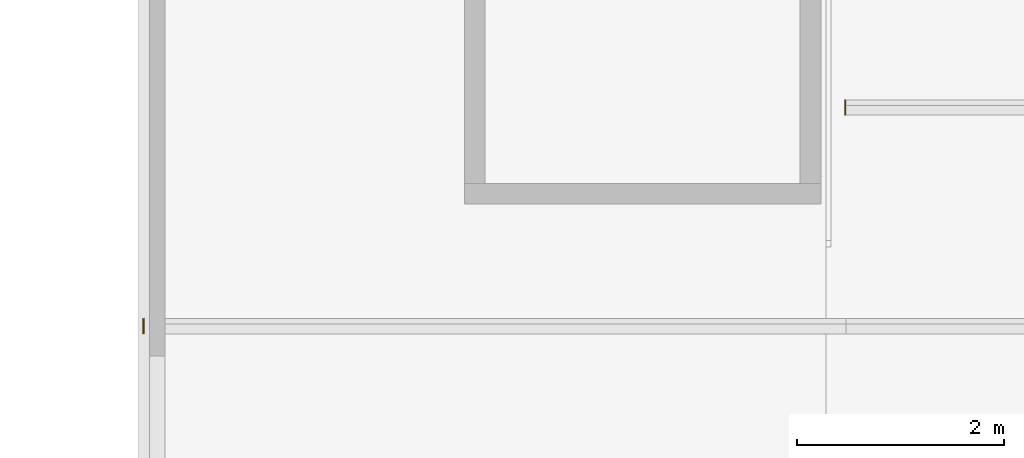
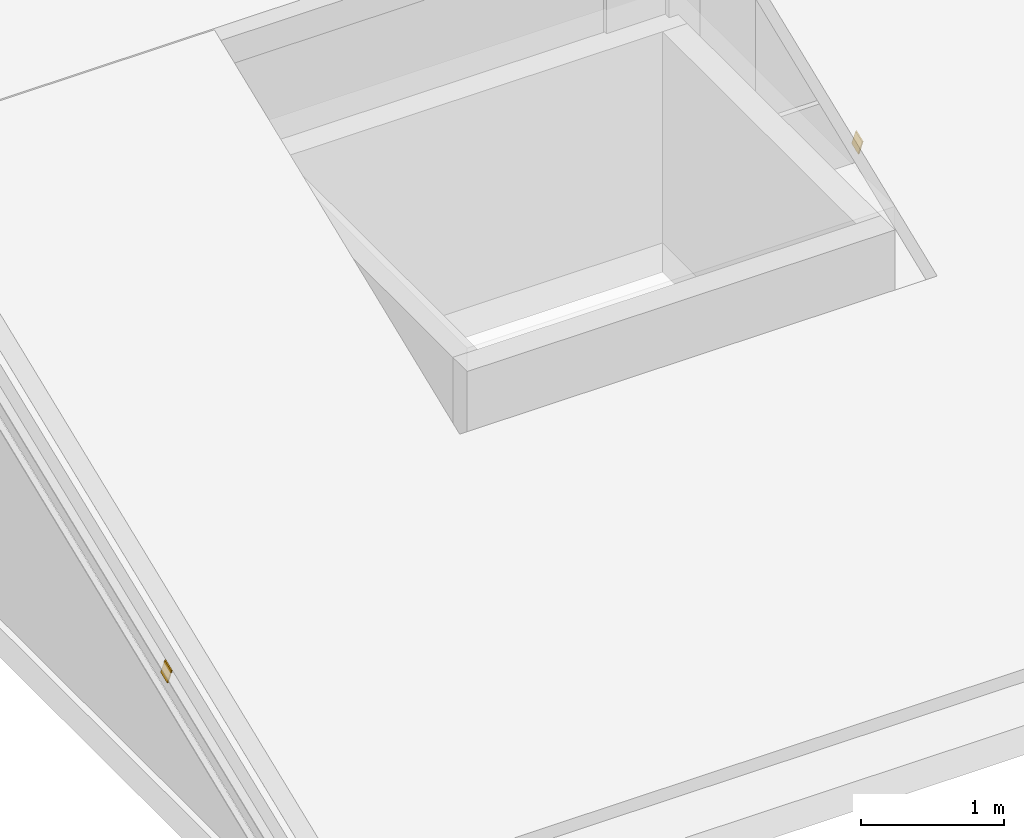
# One storey, part 101 of 109: 2 coverings.
"""IFC4 building model written with IfcOpenShell, lengths in metres."""

import ifcopenshell
import ifcopenshell.guid

model = None  # the IFC model being written
_history = None  # IfcOwnerHistory: only IFC2X3 demands one
_inside = {}  # id of a spatial element -> (the spatial element, [elements in it])
_under = {}  # id of a project, library or spatial element -> (it, [spatial elements below it])
_declared = {}  # id of a project -> (the project, [libraries it declares])
_typed = {}  # id of a type object -> (the type object, [elements of that type])
_made_of = {}  # id of a material, layer set ... -> (it, [elements and type objects made of it])


def new_model(schema):
    """Start an empty IFC model of exactly this schema.

    Asked for "IFC4X3", IfcOpenShell would pick the latest addendum, in which some entities
    have other attributes; the version numbers below select the first issue.
    IFC2X3 requires an IfcOwnerHistory on every rooted entity: one is made here for all.
    """
    global model, _history
    if schema == "IFC4X3":
        model = ifcopenshell.file(schema_version=(4, 3, 0, 0))
    else:
        model = ifcopenshell.file(schema=schema)
    _inside.clear()
    _under.clear()
    _declared.clear()
    _typed.clear()
    _made_of.clear()
    _history = None
    if model.schema == "IFC2X3":
        org = make("IfcOrganization", Name="unknown")
        user = make(
            "IfcPersonAndOrganization",
            ThePerson=make("IfcPerson", FamilyName="unknown"),
            TheOrganization=org,
        )
        app = make(
            "IfcApplication",
            ApplicationDeveloper=org,
            Version="unknown",
            ApplicationFullName="unknown",
            ApplicationIdentifier="unknown",
        )
        _history = make(
            "IfcOwnerHistory",
            OwningUser=user,
            OwningApplication=app,
            ChangeAction="ADDED",
            CreationDate=0,
        )
    return model


def make(cls, **values):
    """One entity of the class cls with the attributes given. An attribute that is None is left unset."""
    return model.create_entity(
        cls, **{name: value for name, value in values.items() if value is not None}
    )


def rooted(cls, **values):
    """An entity with a GlobalId (a new one), such as an element, a storey or a relation."""
    return make(cls, GlobalId=ifcopenshell.guid.new(), OwnerHistory=_history, **values)


def si_unit(unit_type, name, prefix=None):
    """IfcSIUnit, for example si_unit("LENGTHUNIT", "METRE", prefix="MILLI")."""
    return make("IfcSIUnit", UnitType=unit_type, Prefix=prefix, Name=name)


def assignment(units):
    """IfcUnitAssignment: the units of a project."""
    return None if units is None else make("IfcUnitAssignment", Units=units)


def point(xyz):
    """IfcCartesianPoint."""
    return None if xyz is None else make("IfcCartesianPoint", Coordinates=xyz)


def direction(xyz):
    """IfcDirection."""
    return None if xyz is None else make("IfcDirection", DirectionRatios=xyz)


def frame(location, z_axis=None, x_axis=None):
    """IfcAxis2Placement3D, a coordinate frame: its origin and axes. An axis left out is left unset."""
    return make(
        "IfcAxis2Placement3D",
        Location=point(location),
        Axis=direction(z_axis),
        RefDirection=direction(x_axis),
    )


def origin():
    """The frame at (0, 0, 0) with its axes left unset."""
    return frame((0.0, 0.0, 0.0))


def place(relative_to, where):
    """IfcLocalPlacement: puts the frame where relative to a parent placement (None: the world)."""
    return make(
        "IfcLocalPlacement", PlacementRelTo=relative_to, RelativePlacement=where
    )


def context(
    kind, dimensions, precision=None, world=None, true_north=None, identifier=None
):
    """IfcGeometricRepresentationContext, for example the 3D "Model" context."""
    return make(
        "IfcGeometricRepresentationContext",
        ContextIdentifier=identifier,
        ContextType=kind,
        CoordinateSpaceDimension=dimensions,
        Precision=precision,
        WorldCoordinateSystem=world,
        TrueNorth=true_north,
    )


def subcontext(parent, identifier, kind, view, scale=None):
    """IfcGeometricRepresentationSubContext, for example "Body" below "Model"."""
    return make(
        "IfcGeometricRepresentationSubContext",
        ContextIdentifier=identifier,
        ContextType=kind,
        ParentContext=parent,
        TargetScale=scale,
        TargetView=view,
    )


def project(units=None, contexts=None):
    """IfcProject with its units and contexts."""
    return rooted(
        "IfcProject",
        Name="project",
        RepresentationContexts=contexts,
        UnitsInContext=assignment(units),
    )


def spatial(cls, under=None, at=None, **own):
    """A site, building, storey or space (cls), placed at a placement, below another one or the project."""
    s = rooted(cls, ObjectPlacement=at, **own)
    if under is not None:
        _under.setdefault(under.id(), (under, []))[1].append(s)
    return s


def polyline(points):
    """IfcPolyline through the points."""
    return make("IfcPolyline", Points=[point(p) for p in points])


def outline(outer, holes=None, kind="AREA"):
    """IfcArbitraryClosedProfileDef: a profile drawn as a closed curve; with holes, ...WithVoids."""
    if holes is None:
        return make("IfcArbitraryClosedProfileDef", ProfileType=kind, OuterCurve=outer)
    return make(
        "IfcArbitraryProfileDefWithVoids",
        ProfileType=kind,
        OuterCurve=outer,
        InnerCurves=holes,
    )


def extrude(swept, where, along, depth):
    """IfcExtrudedAreaSolid: the profile swept, set in the frame where, extruded along a direction by depth."""
    return make(
        "IfcExtrudedAreaSolid",
        SweptArea=swept,
        Position=where,
        ExtrudedDirection=direction(along),
        Depth=depth,
    )


def shape(context_of_items, identifier, shape_type, items):
    """IfcShapeRepresentation: the items that make up one representation, for example the "Body"."""
    return make(
        "IfcShapeRepresentation",
        ContextOfItems=context_of_items,
        RepresentationIdentifier=identifier,
        RepresentationType=shape_type,
        Items=items,
    )


def material(Name=None, Category=None):
    """IfcMaterial."""
    return make("IfcMaterial", Name=Name, Category=Category)


def material_profile(
    of_material, cross_section, Name=None, Category=None, Priority=None
):
    """IfcMaterialProfile: a cross section and its material."""
    return make(
        "IfcMaterialProfile",
        Name=Name,
        Material=of_material,
        Profile=cross_section,
        Priority=Priority,
        Category=Category,
    )


def profile_set(profiles, Name=None, composite=None):
    """IfcMaterialProfileSet."""
    return make(
        "IfcMaterialProfileSet",
        Name=Name,
        MaterialProfiles=profiles,
        CompositeProfile=composite,
    )


def made_of(thing, what):
    """Note that an element or type object is made of a material, layer set ...; save() writes the relation."""
    if what is not None:
        _made_of.setdefault(what.id(), (what, []))[1].append(thing)
    return thing


def type_object(cls, material=None, **own):
    """A type object (cls), such as IfcWallType, which elements share."""
    return made_of(rooted(cls, **own), material)


def element(
    cls,
    number,
    at=None,
    inside=None,
    cuts=None,
    type_object=None,
    material=None,
    context=None,
    identifier="Body",
    shape_type=None,
    held_by="IfcProductDefinitionShape",
    body=None,
    shapes=None,
    **own,
):
    """One element of the class cls, such as IfcWall. Its Tag is "e" and its number.

    at: its placement. inside: the storey or other place that contains it. cuts: it is an
    opening in that element (IfcRelVoidsElement). A single representation is given by context,
    identifier, shape_type and body (its items); several are given by shapes. held_by: the class
    of the entity that holds the representations. save() writes the other relations.
    """
    e = rooted(cls, Tag="e%d" % number, ObjectPlacement=at, **own)
    if body is not None:
        shapes = [shape(context, identifier, shape_type, body)]
    if shapes is not None:
        e.Representation = make(held_by, Representations=shapes)
    if inside is not None:
        _inside.setdefault(inside.id(), (inside, []))[1].append(e)
    if cuts is not None:
        rooted(
            "IfcRelVoidsElement", RelatingBuildingElement=cuts, RelatedOpeningElement=e
        )
    if type_object is not None:
        _typed.setdefault(type_object.id(), (type_object, []))[1].append(e)
    return made_of(e, material)


def aggregate(whole, parts):
    """IfcRelAggregates: a whole, such as a stair, and the parts it consists of."""
    return rooted("IfcRelAggregates", RelatingObject=whole, RelatedObjects=parts)


def save(model, path):
    """Write the relations noted so far, then the file.

    IfcRelAggregates (storeys below a building ...), IfcRelContainedInSpatialStructure (elements
    in a storey), IfcRelDefinesByType, IfcRelAssociatesMaterial and IfcRelDeclares: one each for
    every whole, place, type object, material and project.
    """
    for whole, parts in _under.values():
        aggregate(whole, parts)
    for where, things in _inside.values():
        rooted(
            "IfcRelContainedInSpatialStructure",
            RelatedElements=things,
            RelatingStructure=where,
        )
    for kind, things in _typed.values():
        rooted("IfcRelDefinesByType", RelatedObjects=things, RelatingType=kind)
    for what, things in _made_of.values():
        rooted("IfcRelAssociatesMaterial", RelatedObjects=things, RelatingMaterial=what)
    for by, libraries in _declared.values():
        rooted("IfcRelDeclares", RelatingContext=by, RelatedDefinitions=libraries)
    model.write(path)


model = new_model("IFC4")

# Units and contexts
model_context = context("Model", 3, precision=1e-05, world=origin(), true_north=direction((0.0, 1.0)))
body_context = subcontext(model_context, "Body", "Model", "MODEL_VIEW")
ifc_project = project(units=[si_unit("LENGTHUNIT", "METRE"), si_unit("AREAUNIT", "SQUARE_METRE"), si_unit("VOLUMEUNIT", "CUBIC_METRE"), si_unit("PLANEANGLEUNIT", "RADIAN"), si_unit("MASSUNIT", "GRAM", prefix="KILO")], contexts=[model_context])

# Site, building, storey
site_placement = place(None, origin())
site = spatial("IfcSite", under=ifc_project, at=site_placement, CompositionType="ELEMENT")
building_placement = place(site_placement, origin())
building = spatial("IfcBuilding", under=site, at=building_placement, Name="Lantern Court Research Institute", CompositionType="ELEMENT")
storey_placement = place(building_placement, frame((0.0, 0.0, 14.39990234375)))
storey = spatial("IfcBuildingStorey", under=building, at=storey_placement, Name="L03", CompositionType="ELEMENT", Elevation=14.39990234375)

# Coverings
ifc_material = material(Name="Structural steel S355", Category="steel")
ifc_material_profile = material_profile(ifc_material, outline(polyline([(-0.050048828125, -0.074951171875), (0.050048828125, -0.074951171875), (0.050048828125, 0.074951171875), (-0.050048828125, 0.074951171875), (-0.050048828125, -0.074951171875)])), Name="Purlin end cap 150 x 100 x 10")
ifc_profile_set = profile_set([ifc_material_profile], Name="Structural steel S355")
covering_type = type_object("IfcCoveringType", Name="Purlin end cap 150 x 100 x 10", PredefinedType="MOLDING", material=ifc_profile_set)
for number, where, z_axis, x_axis, name in (
    (1, (0.0, 51.76953125, 1.0478515625), (-1.0, 0.0, 0.0), (0.0, -0.928476694038, -0.371390668473), "Purlin end cap"),
    (2, (6.79248046875, 53.88623046875, 1.89453125), (-1.0, 0.0, 0.0), (0.0, -0.928476694038, -0.371390668473), "Purlin end cap"),
):
    element("IfcCovering", number, at=place(storey_placement, frame(where, z_axis=z_axis, x_axis=x_axis)), inside=storey, type_object=covering_type, Name=name, PredefinedType="MOLDING", context=body_context, shape_type="SweptSolid", body=[
        extrude(outline(polyline([(-0.050048828125, -0.074951171875), (0.050048828125, -0.074951171875), (0.050048828125, 0.074951171875), (-0.050048828125, 0.074951171875), (-0.050048828125, -0.074951171875)])), origin(), (0.0, 0.0, 1.0), 0.010009765625),
    ])

save(model, "model.ifc")
